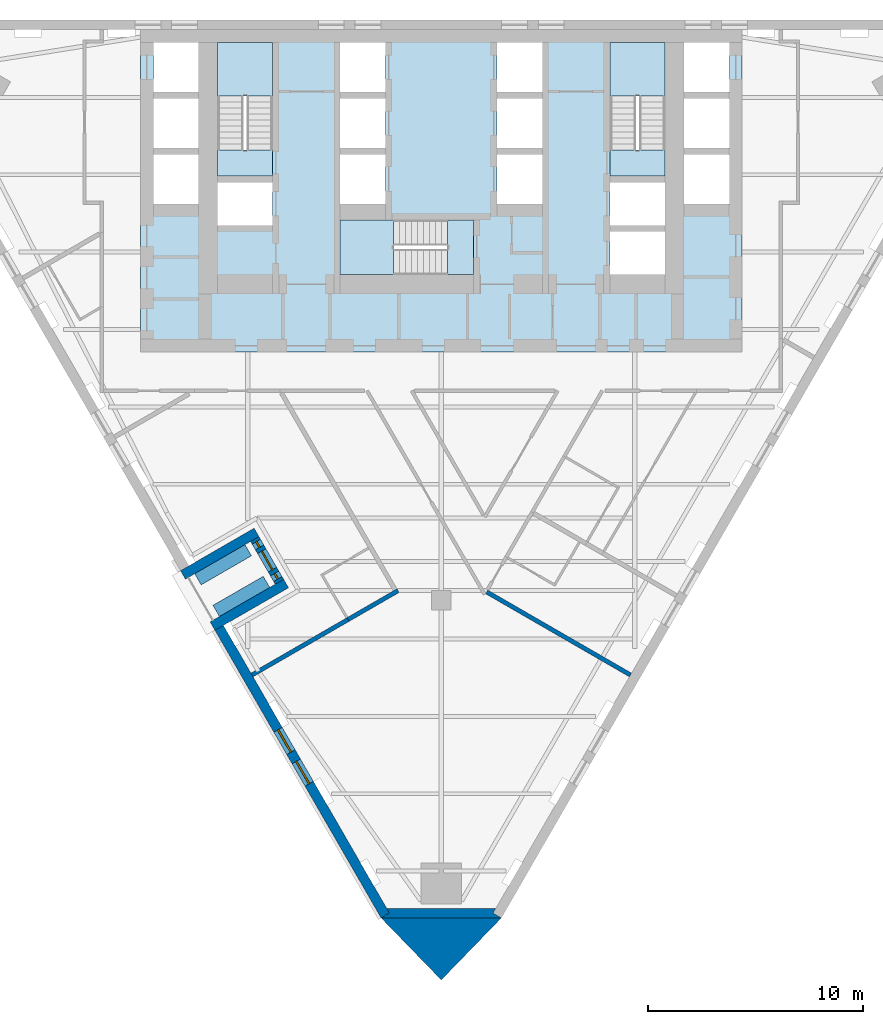
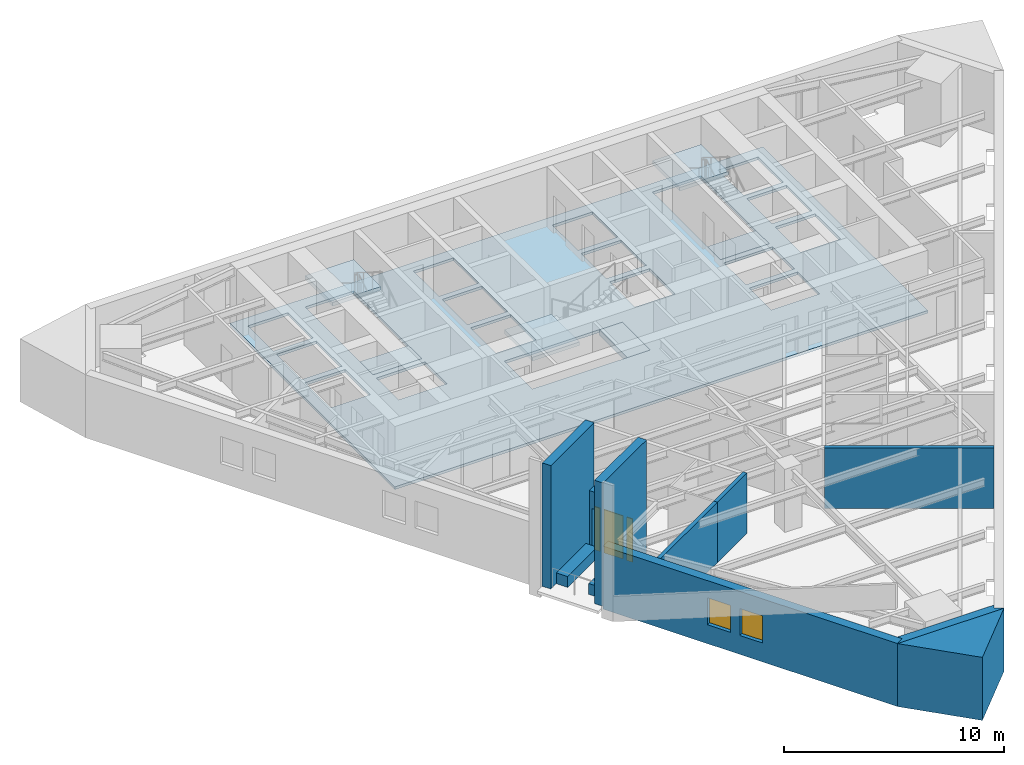
# One storey, part 2 of 9: 11 walls, 7 slabs, 4 windows, 1 door, 5 openings, 3 elements without a shape of their own.
"""IFC4 building model written with IfcOpenShell, lengths in metres."""

from ifc_helpers import new_model, si_unit, direction, frame, frame_2d, origin, place, context, subcontext, project, spatial, polyline, rectangle, outline, extrude, material, layer, layer_set, type_object, element, fill, aggregate, save


model = new_model("IFC4")

# Units and contexts
model_context = context("Model", 3, precision=1e-05, world=origin(), true_north=direction((0.0, 1.0)))
body_context = subcontext(model_context, "Body", "Model", "MODEL_VIEW")
ifc_project = project(units=[si_unit("LENGTHUNIT", "METRE"), si_unit("AREAUNIT", "SQUARE_METRE"), si_unit("VOLUMEUNIT", "CUBIC_METRE"), si_unit("PLANEANGLEUNIT", "RADIAN"), si_unit("MASSUNIT", "GRAM", prefix="KILO")], contexts=[model_context])

# Site, building, storey
site_placement = place(None, origin())
site = spatial("IfcSite", under=ifc_project, at=site_placement, CompositionType="ELEMENT")
building_placement = place(site_placement, origin())
building = spatial("IfcBuilding", under=site, at=building_placement, Name="Aloe Facet Convention Tower", CompositionType="ELEMENT")
storey_placement = place(building_placement, frame((0.0, 0.0, 99.300048828125)))
storey = spatial("IfcBuildingStorey", under=building, at=storey_placement, Name="L24", CompositionType="ELEMENT", Elevation=99.300048828125)

# Slabs
ifc_material_1 = material(Name="Concrete C70/85", Category="concrete")
ifc_layer_1 = layer(ifc_material_1, 0.14990234375)
ifc_layer_set_1 = layer_set([ifc_layer_1], Name="CR-S-FLOOR150-C7085")
slab_type_1 = type_object("IfcSlabType", Name="CR-S-FLOOR150-C7085", PredefinedType="FLOOR", material=ifc_layer_set_1)
slab_1_placement = place(storey_placement, frame((0.0, 0.0, -0.150146484375)))
element("IfcSlab", 1, at=slab_1_placement, inside=storey, type_object=slab_type_1, Name="Core floor L24", PredefinedType="FLOOR", context=body_context, shape_type="SweptSolid", body=[
    extrude(outline(polyline([(69.300048828125, 134.550048828125), (71.85009765625, 134.550048828125), (72.75, 134.550048828125), (74.699951171875, 134.550048828125), (75.60009765625, 134.550048828125), (77.10009765625, 134.550048828125), (78.0, 134.550048828125), (82.0, 134.550048828125), (82.89990234375, 134.550048828125), (84.39990234375, 134.550048828125), (85.300048828125, 134.550048828125), (87.25, 134.550048828125), (88.14990234375, 134.550048828125), (90.699951171875, 134.550048828125), (91.0, 134.550048828125), (94.0, 134.550048828125), (94.0, 131.949951171875), (94.0, 131.050048828125), (94.0, 129.35009765625), (94.0, 128.449951171875), (94.0, 126.449951171875), (94.0, 125.85009765625), (94.0, 123.57373046875), (94.0, 122.523681640625), (94.0, 119.550048828125), (91.300048828125, 119.550048828125), (90.699951171875, 119.550048828125), (89.60009765625, 119.550048828125), (88.550048828125, 119.550048828125), (87.89990234375, 119.550048828125), (86.85009765625, 119.550048828125), (85.699951171875, 119.550048828125), (84.64990234375, 119.550048828125), (83.699951171875, 119.550048828125), (82.64990234375, 119.550048828125), (81.75, 119.550048828125), (80.699951171875, 119.550048828125), (78.550048828125, 119.550048828125), (77.5, 119.550048828125), (75.35009765625, 119.550048828125), (74.300048828125, 119.550048828125), (73.14990234375, 119.550048828125), (72.10009765625, 119.550048828125), (69.300048828125, 119.550048828125), (66.0, 119.550048828125), (66.0, 121.5), (66.0, 122.550048828125), (66.0, 123.449951171875), (66.0, 124.5), (66.0, 125.85009765625), (66.0, 126.449951171875), (66.0, 128.449951171875), (66.0, 129.35009765625), (66.0, 131.050048828125), (66.0, 131.949951171875), (66.0, 134.550048828125), (69.0, 134.550048828125), (69.300048828125, 134.550048828125)]), holes=[polyline([(75.300048828125, 123.14990234375), (80.298828125, 123.14990234375), (81.5, 123.14990234375), (81.5, 125.699951171875), (80.298828125, 125.699951171875), (75.300048828125, 125.699951171875), (75.300048828125, 123.14990234375)]), polyline([(69.60009765625, 125.449951171875), (72.14990234375, 125.449951171875), (72.14990234375, 127.449951171875), (69.60009765625, 127.449951171875), (69.60009765625, 125.449951171875)]), polyline([(66.60009765625, 126.449951171875), (68.699951171875, 126.449951171875), (68.699951171875, 128.75), (66.60009765625, 128.75), (66.60009765625, 126.449951171875)]), polyline([(75.300048828125, 126.449951171875), (77.39990234375, 126.449951171875), (77.39990234375, 128.75), (75.300048828125, 128.75), (75.300048828125, 126.449951171875)]), polyline([(66.60009765625, 129.050048828125), (68.699951171875, 129.050048828125), (68.699951171875, 131.35009765625), (66.60009765625, 131.35009765625), (66.60009765625, 129.050048828125)]), polyline([(75.300048828125, 129.050048828125), (77.39990234375, 129.050048828125), (77.39990234375, 131.35009765625), (75.300048828125, 131.35009765625), (75.300048828125, 129.050048828125)]), polyline([(69.60009765625, 133.949951171875), (69.60009765625, 128.951171875), (69.60009765625, 127.75), (72.14990234375, 127.75), (72.14990234375, 128.951171875), (72.14990234375, 133.949951171875), (69.60009765625, 133.949951171875)]), polyline([(66.60009765625, 133.949951171875), (66.60009765625, 131.64990234375), (68.699951171875, 131.64990234375), (68.699951171875, 133.949951171875), (66.60009765625, 133.949951171875)]), polyline([(75.300048828125, 133.949951171875), (75.300048828125, 131.64990234375), (77.39990234375, 131.64990234375), (77.39990234375, 133.949951171875), (75.300048828125, 133.949951171875)]), polyline([(87.85009765625, 123.14990234375), (90.39990234375, 123.14990234375), (90.39990234375, 125.14990234375), (87.85009765625, 125.14990234375), (87.85009765625, 123.14990234375)]), polyline([(87.85009765625, 125.449951171875), (90.39990234375, 125.449951171875), (90.39990234375, 127.449951171875), (87.85009765625, 127.449951171875), (87.85009765625, 125.449951171875)]), polyline([(82.60009765625, 126.449951171875), (84.699951171875, 126.449951171875), (84.699951171875, 128.75), (82.60009765625, 128.75), (82.60009765625, 126.449951171875)]), polyline([(91.300048828125, 126.449951171875), (93.39990234375, 126.449951171875), (93.39990234375, 128.75), (91.300048828125, 128.75), (91.300048828125, 126.449951171875)]), polyline([(82.60009765625, 129.050048828125), (84.699951171875, 129.050048828125), (84.699951171875, 131.35009765625), (82.60009765625, 131.35009765625), (82.60009765625, 129.050048828125)]), polyline([(91.300048828125, 129.050048828125), (93.39990234375, 129.050048828125), (93.39990234375, 131.35009765625), (91.300048828125, 131.35009765625), (91.300048828125, 129.050048828125)]), polyline([(87.85009765625, 133.949951171875), (87.85009765625, 128.951171875), (87.85009765625, 127.75), (90.39990234375, 127.75), (90.39990234375, 128.951171875), (90.39990234375, 133.949951171875), (87.85009765625, 133.949951171875)]), polyline([(82.60009765625, 133.949951171875), (82.60009765625, 131.64990234375), (84.699951171875, 131.64990234375), (84.699951171875, 133.949951171875), (82.60009765625, 133.949951171875)]), polyline([(91.300048828125, 133.949951171875), (91.300048828125, 131.64990234375), (93.39990234375, 131.64990234375), (93.39990234375, 133.949951171875), (91.300048828125, 133.949951171875)])]), origin(), (0.0, 0.0, 1.0), 0.150146484375),
])
ifc_material_2 = material(Name="Concrete C70/85", Category="concrete")
ifc_layer_2 = layer(ifc_material_2, 0.300048828125)
ifc_layer_set_2 = layer_set([ifc_layer_2], Name="CR-S-FLOOR300-C7085")
slab_type_2 = type_object("IfcSlabType", Name="CR-S-FLOOR300-C7085", PredefinedType="FLOOR", material=ifc_layer_set_2)
slab_2_placement = place(storey_placement, frame((0.0, 0.0, -0.300048828125)))
element("IfcSlab", 2, at=slab_2_placement, inside=storey, type_object=slab_type_2, Name="Stair landing floor L24", PredefinedType="FLOOR", context=body_context, shape_type="SweptSolid", body=[
    extrude(outline(polyline([(72.14990234375, 127.75), (72.14990234375, 128.951171875), (69.60009765625, 128.951171875), (69.60009765625, 127.75), (72.14990234375, 127.75)])), origin(), (0.0, 0.0, 1.0), 0.300048828125),
])
slab_3_placement = place(storey_placement, frame((0.0, 0.0, -0.300048828125)))
element("IfcSlab", 3, at=slab_3_placement, inside=storey, type_object=slab_type_2, Name="Stair landing floor L24", PredefinedType="FLOOR", context=body_context, shape_type="SweptSolid", body=[
    extrude(outline(polyline([(90.39990234375, 127.75), (90.39990234375, 128.951171875), (87.85009765625, 128.951171875), (87.85009765625, 127.75), (90.39990234375, 127.75)])), origin(), (0.0, 0.0, 1.0), 0.300048828125),
])
slab_4_placement = place(storey_placement, frame((0.0, 0.0, -0.300048828125)))
element("IfcSlab", 4, at=slab_4_placement, inside=storey, type_object=slab_type_2, Name="Stair landing floor L24", PredefinedType="FLOOR", context=body_context, shape_type="SweptSolid", body=[
    extrude(outline(polyline([(81.5, 125.699951171875), (80.298828125, 125.699951171875), (80.298828125, 123.14990234375), (81.5, 123.14990234375), (81.5, 125.699951171875)])), origin(), (0.0, 0.0, 1.0), 0.300048828125),
])

# Stair, slab
ifc_material_3 = material(Name="Concrete C50/60", Category="concrete")
stair_type = type_object("IfcStairType", Name="CR-ST-20R", PredefinedType="HALF_TURN_STAIR", material=ifc_material_3)
stair_1_placement = place(storey_placement, origin())
stair_1 = element("IfcStair", 5, at=stair_1_placement, inside=storey, type_object=stair_type, Name="L24 Protected exit stair ST1", PredefinedType="HALF_TURN_STAIR")
ifc_material_4 = material(Name="Concrete C50/60", Category="concrete")
ifc_layer_3 = layer(ifc_material_4, 0.199951171875)
ifc_layer_set_3 = layer_set([ifc_layer_3], Name="CR-SL-LANDING")
slab_type_3 = type_object("IfcSlabType", Name="CR-SL-LANDING", PredefinedType="LANDING", material=ifc_layer_set_3)
slab_5_placement = place(storey_placement, frame((0.0, 0.0, 1.550048828125)))
slab_5 = element("IfcSlab", 6, at=slab_5_placement, type_object=slab_type_3, Name="ST1 landing 1", PredefinedType="LANDING", context=body_context, shape_type="SweptSolid", body=[
    extrude(outline(polyline([(72.14990234375, 131.469970703125), (72.14990234375, 133.949951171875), (69.60009765625, 133.949951171875), (69.60009765625, 131.469970703125), (72.14990234375, 131.469970703125)])), origin(), (0.0, 0.0, 1.0), 0.199951171875),
])
aggregate(stair_1, [slab_5])

stair_2_placement = place(storey_placement, origin())
stair_2 = element("IfcStair", 7, at=stair_2_placement, inside=storey, type_object=stair_type, Name="L24 Protected exit stair ST2", PredefinedType="HALF_TURN_STAIR")
slab_6_placement = place(storey_placement, frame((0.0, 0.0, 1.550048828125)))
slab_6 = element("IfcSlab", 8, at=slab_6_placement, type_object=slab_type_3, Name="ST2 landing 1", PredefinedType="LANDING", context=body_context, shape_type="SweptSolid", body=[
    extrude(outline(polyline([(90.39990234375, 131.469970703125), (90.39990234375, 133.949951171875), (87.85009765625, 133.949951171875), (87.85009765625, 131.469970703125), (90.39990234375, 131.469970703125)])), origin(), (0.0, 0.0, 1.0), 0.199951171875),
])
aggregate(stair_2, [slab_6])

stair_3_placement = place(storey_placement, origin())
stair_3 = element("IfcStair", 9, at=stair_3_placement, inside=storey, type_object=stair_type, Name="L24 Protected exit stair ST3", PredefinedType="HALF_TURN_STAIR")
slab_7_placement = place(storey_placement, frame((0.0, 0.0, 1.550048828125)))
slab_7 = element("IfcSlab", 10, at=slab_7_placement, type_object=slab_type_3, Name="ST3 landing 1", PredefinedType="LANDING", context=body_context, shape_type="SweptSolid", body=[
    extrude(outline(polyline([(77.780029296875, 125.699951171875), (75.300048828125, 125.699951171875), (75.300048828125, 123.14990234375), (77.780029296875, 123.14990234375), (77.780029296875, 125.699951171875)])), origin(), (0.0, 0.0, 1.0), 0.199951171875),
])
aggregate(stair_3, [slab_7])

# Walls
ifc_material_5 = material(Name="Precast concrete C40/50", Category="concrete")
ifc_layer_4 = layer(ifc_material_5, 0.60009765625)
ifc_layer_set_4 = layer_set([ifc_layer_4], Name="EV-PLANTER")
wall_type_1 = type_object("IfcWallType", Name="EV-PLANTER", PredefinedType="STANDARD", material=ifc_layer_set_4)
wall_1_placement = place(storey_placement, frame((68.679443359375, 108.978271484375, 0.0), z_axis=(0.0, 0.0, 1.0), x_axis=(0.86599734893, 0.500048589285, 0.0)))
element("IfcWall", 11, at=wall_1_placement, inside=storey, type_object=wall_type_1, Name="PLANTER T05-1", PredefinedType="STANDARD", context=body_context, shape_type="SweptSolid", body=[
    extrude(rectangle(XDim=2.699951171875, YDim=0.60009765625, at=frame_2d((1.35009765625, 0.0))), origin(), (0.0, 0.0, 1.0), 0.599853515625),
])
wall_2_placement = place(storey_placement, frame((69.529296875, 107.506103515625, 0.0), z_axis=(0.0, 0.0, 1.0), x_axis=(0.866019956843, 0.50000943426, 0.0)))
element("IfcWall", 12, at=wall_2_placement, inside=storey, type_object=wall_type_1, Name="PLANTER T05-2", PredefinedType="STANDARD", context=body_context, shape_type="SweptSolid", body=[
    extrude(rectangle(XDim=2.7001953125, YDim=0.60009765625, at=frame_2d((1.35009765625, 0.0))), origin(), (0.0, 0.0, 1.0), 0.599853515625),
])
ifc_material_6 = material(Name="Precast concrete C40/50", Category="concrete")
ifc_layer_5 = layer(ifc_material_6, 0.449951171875)
ifc_layer_set_5 = layer_set([ifc_layer_5], Name="EV-WALL-PIER")
wall_type_2 = type_object("IfcWallType", Name="EV-WALL-PIER", PredefinedType="SOLIDWALL", material=ifc_layer_set_5)
wall_3_placement = place(storey_placement, frame((0.0, 0.0, -0.150146484375)))
element("IfcWall", 13, at=wall_3_placement, inside=storey, type_object=wall_type_2, Name="EP-L24-B", PredefinedType="SOLIDWALL", context=body_context, shape_type="SweptSolid", body=[
    extrude(outline(polyline([(77.199951171875, 93.22021484375), (77.589599609375, 93.4453125), (77.459716796875, 93.670166015625), (82.540283203125, 93.670166015625), (82.410400390625, 93.4453125), (82.800048828125, 93.22021484375), (77.199951171875, 93.22021484375)])), origin(), (0.0, 0.0, 1.0), 3.5),
])
ifc_material_7 = material(Name="Precast concrete C40/50", Category="concrete")
ifc_layer_6 = layer(ifc_material_7, 3.947998046875)
ifc_layer_set_6 = layer_set([ifc_layer_6], Name="EV-WALL-SPINE")
wall_type_3 = type_object("IfcWallType", Name="EV-WALL-SPINE", PredefinedType="SOLIDWALL", material=ifc_layer_set_6)
wall_4_placement = place(storey_placement, frame((0.0, 0.0, -0.150146484375)))
element("IfcWall", 14, at=wall_4_placement, inside=storey, type_object=wall_type_3, Name="SP-S-L24", PredefinedType="SOLIDWALL", context=body_context, shape_type="SweptSolid", body=[
    extrude(outline(polyline([(77.199951171875, 93.22021484375), (80.0, 90.333251953125), (82.800048828125, 93.22021484375), (77.199951171875, 93.22021484375)])), origin(), (0.0, 0.0, 1.0), 3.5),
])

# Wall, openings, windows
ifc_material_8 = material(Name="Precast concrete C40/50", Category="concrete")
ifc_layer_7 = layer(ifc_material_8, 0.449951171875)
ifc_layer_set_7 = layer_set([ifc_layer_7], Name="EV-WALL-STONE")
wall_type_4 = type_object("IfcWallType", Name="EV-WALL-STONE", PredefinedType="SOLIDWALL", material=ifc_layer_set_7)
wall_5_placement = place(storey_placement, frame((69.666259765625, 106.71923828125, -0.150146484375), z_axis=(0.0, 0.0, 1.0), x_axis=(0.499991795389, -0.866030140667, 0.0)))
wall_5 = element("IfcWall", 15, at=wall_5_placement, inside=storey, type_object=wall_type_4, Name="EW-L24-W02", PredefinedType="SOLIDWALL", context=body_context, shape_type="SweptSolid", body=[
    extrude(outline(polyline([(15.457275390625, 3.5), (15.457275390625, 0.0), (0.0, 0.0), (0.0, 3.5), (15.457275390625, 3.5)])), frame((0.0, 0.22509765625, 0.0), z_axis=(0.0, -1.0, 0.0), x_axis=(1.0, 0.0, 0.0)), (0.0, 0.0, 1.0), 0.449951171875),
])
opening_1_placement = place(wall_5_placement, frame((5.478515625, 0.0, 1.050048828125)))
opening_1 = element("IfcOpeningElement", 16, at=opening_1_placement, cuts=wall_5, Name="Opening W-L24-W05", PredefinedType="OPENING", context=body_context, shape_type="SweptSolid", body=[
    extrude(rectangle(XDim=1.199951171875, YDim=1.5, at=frame_2d((0.60009765625, 0.75))), frame((0.0, 0.23486328125, 0.0), z_axis=(0.0, -1.0, 0.0), x_axis=(1.0, 0.0, 0.0)), (0.0, 0.0, 1.0), 0.469970703125),
])
opening_2_placement = place(wall_5_placement, frame((7.1787109375, 0.0, 1.050048828125)))
opening_2 = element("IfcOpeningElement", 17, at=opening_2_placement, cuts=wall_5, Name="Opening W-L24-W06", PredefinedType="OPENING", context=body_context, shape_type="SweptSolid", body=[
    extrude(rectangle(XDim=1.199951171875, YDim=1.5, at=frame_2d((0.60009765625, 0.75))), frame((0.0, 0.23486328125, 0.0), z_axis=(0.0, -1.0, 0.0), x_axis=(1.0, 0.0, 0.0)), (0.0, 0.0, 1.0), 0.469970703125),
])
ifc_material_9 = material(Name="Aluminium frame, clear double glazing", Category="aluminium")
window_type_1 = type_object("IfcWindowType", Name="EV-WIN-H12", PartitioningType="SINGLE_PANEL", PredefinedType="WINDOW", material=ifc_material_9)
window_1_placement = place(opening_1_placement, origin())
window_1 = element("IfcWindow", 18, at=window_1_placement, inside=storey, type_object=window_type_1, Name="W-L24-W05", OverallHeight=1.5, OverallWidth=1.199951171875, PartitioningType="SINGLE_PANEL", PredefinedType="WINDOW", context=body_context, shape_type="SweptSolid", body=[
    extrude(rectangle(XDim=1.199951171875, YDim=1.5, at=frame_2d((0.60009765625, 0.75))), frame((0.0, 0.030029296875, 0.0), z_axis=(0.0, -1.0, 0.0), x_axis=(1.0, 0.0, 0.0)), (0.0, 0.0, 1.0), 0.06005859375),
])
fill(opening_1, window_1)
window_2_placement = place(opening_2_placement, origin())
window_2 = element("IfcWindow", 19, at=window_2_placement, inside=storey, type_object=window_type_1, Name="W-L24-W06", OverallHeight=1.5, OverallWidth=1.199951171875, PartitioningType="SINGLE_PANEL", PredefinedType="WINDOW", context=body_context, shape_type="SweptSolid", body=[
    extrude(rectangle(XDim=1.199951171875, YDim=1.5, at=frame_2d((0.60009765625, 0.75))), frame((0.0, 0.030029296875, 0.0), z_axis=(0.0, -1.0, 0.0), x_axis=(1.0, 0.0, 0.0)), (0.0, 0.0, 1.0), 0.06005859375),
])
fill(opening_2, window_2)

# Walls
for number, where, z_axis, x_axis, name in (
    (20, (67.98388671875, 109.18310546875, 0.0), (0.0, 0.0, 1.0), (0.866047669374, 0.499961432884, 0.0), "TW-T05-1"),
    (21, (69.35888671875, 106.801513671875, 0.0), (0.0, 0.0, 1.0), (0.866047669374, 0.499961432884, 0.0), "TW-T05-2"),
):
    element("IfcWall", number, at=place(storey_placement, frame(where, z_axis=z_axis, x_axis=x_axis)), inside=storey, type_object=wall_type_4, Name=name, PredefinedType="SOLIDWALL", context=body_context, shape_type="SweptSolid", body=[
        extrude(rectangle(XDim=3.949951171875, YDim=0.449951171875, at=frame_2d((1.97509765625, 0.0))), origin(), (0.0, 0.0, 1.0), 6.849853515625),
    ])

# Wall, openings, door, windows
wall_6_placement = place(storey_placement, frame((71.322265625, 110.8505859375, -0.150146484375), z_axis=(0.0, 0.0, 1.0), x_axis=(0.500077740698, -0.865980515519, 0.0)))
wall_6 = element("IfcWall", 22, at=wall_6_placement, inside=storey, type_object=wall_type_4, Name="TB-T05-L24", PredefinedType="SOLIDWALL", context=body_context, shape_type="SweptSolid", body=[
    extrude(rectangle(XDim=2.300048828125, YDim=0.449951171875, at=frame_2d((1.14990234375, 0.0))), origin(), (0.0, 0.0, 1.0), 3.5),
])
opening_3_placement = place(wall_6_placement, frame((0.64990234375, 0.0, 0.14990234375)))
opening_3 = element("IfcOpeningElement", 23, at=opening_3_placement, cuts=wall_6, Name="Opening D-T05", PredefinedType="OPENING", context=body_context, shape_type="SweptSolid", body=[
    extrude(rectangle(XDim=1.0, YDim=2.39990234375, at=frame_2d((0.5, 1.199951171875))), frame((0.0, 0.23486328125, 0.0), z_axis=(0.0, -1.0, 0.0), x_axis=(1.0, 0.0, 0.0)), (0.0, 0.0, 1.0), 0.469970703125),
])
opening_4_placement = place(wall_6_placement, frame((0.14990234375, 0.0, 0.14990234375)))
opening_4 = element("IfcOpeningElement", 24, at=opening_4_placement, cuts=wall_6, Name="Opening G-T05-1", PredefinedType="OPENING", context=body_context, shape_type="SweptSolid", body=[
    extrude(rectangle(XDim=0.300048828125, YDim=2.39990234375, at=frame_2d((0.14990234375, 1.199951171875))), frame((0.0, 0.23486328125, 0.0), z_axis=(0.0, -1.0, 0.0), x_axis=(1.0, 0.0, 0.0)), (0.0, 0.0, 1.0), 0.469970703125),
])
opening_5_placement = place(wall_6_placement, frame((1.85009765625, 0.0, 0.14990234375)))
opening_5 = element("IfcOpeningElement", 25, at=opening_5_placement, cuts=wall_6, Name="Opening G-T05-2", PredefinedType="OPENING", context=body_context, shape_type="SweptSolid", body=[
    extrude(rectangle(XDim=0.300048828125, YDim=2.39990234375, at=frame_2d((0.14990234375, 1.199951171875))), frame((0.0, 0.23486328125, 0.0), z_axis=(0.0, -1.0, 0.0), x_axis=(1.0, 0.0, 0.0)), (0.0, 0.0, 1.0), 0.469970703125),
])
ifc_material_10 = material(Name="Aluminium frame, clear double glazing", Category="aluminium")
door_type = type_object("IfcDoorType", Name="EV-DOOR-TERR", OperationType="SINGLE_SWING_LEFT", PredefinedType="DOOR", material=ifc_material_10)
door_placement = place(opening_3_placement, origin())
door = element("IfcDoor", 26, at=door_placement, inside=storey, type_object=door_type, Name="D-T05", OperationType="SINGLE_SWING_LEFT", OverallHeight=2.39990234375, OverallWidth=1.0, PredefinedType="DOOR", context=body_context, shape_type="SweptSolid", body=[
    extrude(rectangle(XDim=1.0, YDim=2.39990234375, at=frame_2d((0.5, 1.199951171875))), frame((0.0, 0.02490234375, 0.0), z_axis=(0.0, -1.0, 0.0), x_axis=(1.0, 0.0, 0.0)), (0.0, 0.0, 1.0), 0.050048828125),
])
fill(opening_3, door)
ifc_material_11 = material(Name="Aluminium frame, clear double glazing", Category="aluminium")
window_type_2 = type_object("IfcWindowType", Name="EV-WIN-SL30", PartitioningType="SINGLE_PANEL", PredefinedType="WINDOW", material=ifc_material_11)
window_3_placement = place(opening_4_placement, origin())
window_3 = element("IfcWindow", 27, at=window_3_placement, inside=storey, type_object=window_type_2, Name="G-T05-1", OverallHeight=2.39990234375, OverallWidth=0.300048828125, PartitioningType="SINGLE_PANEL", PredefinedType="WINDOW", context=body_context, shape_type="SweptSolid", body=[
    extrude(rectangle(XDim=0.300048828125, YDim=2.39990234375, at=frame_2d((0.14990234375, 1.199951171875))), frame((0.0, 0.030029296875, 0.0), z_axis=(0.0, -1.0, 0.0), x_axis=(1.0, 0.0, 0.0)), (0.0, 0.0, 1.0), 0.06005859375),
])
fill(opening_4, window_3)
window_4_placement = place(opening_5_placement, origin())
window_4 = element("IfcWindow", 28, at=window_4_placement, inside=storey, type_object=window_type_2, Name="G-T05-2", OverallHeight=2.39990234375, OverallWidth=0.300048828125, PartitioningType="SINGLE_PANEL", PredefinedType="WINDOW", context=body_context, shape_type="SweptSolid", body=[
    extrude(rectangle(XDim=0.300048828125, YDim=2.39990234375, at=frame_2d((0.14990234375, 1.199951171875))), frame((0.0, 0.030029296875, 0.0), z_axis=(0.0, -1.0, 0.0), x_axis=(1.0, 0.0, 0.0)), (0.0, 0.0, 1.0), 0.06005859375),
])
fill(opening_5, window_4)

# Walls
ifc_material_12 = material(Name="Gypsum board partition on steel studs", Category="steel")
ifc_layer_8 = layer(ifc_material_12, 0.199951171875)
ifc_layer_set_8 = layer_set([ifc_layer_8], Name="IN-W-PARTY")
wall_type_5 = type_object("IfcWallType", Name="IN-W-PARTY", PredefinedType="PARTITIONING", material=ifc_layer_set_8)
wall_7_placement = place(storey_placement, frame((71.193359375, 104.524169921875, 0.0), z_axis=(0.0, 0.0, 1.0), x_axis=(0.866009872933, 0.50002689926, 0.0)))
element("IfcWall", 29, at=wall_7_placement, inside=storey, type_object=wall_type_5, Name="Partition L24-W001", PredefinedType="PARTITIONING", context=body_context, shape_type="SweptSolid", body=[
    extrude(rectangle(XDim=5.159912109375, YDim=0.199951171875, at=frame_2d((2.580078125, 0.0))), origin(), (0.0, 0.0, 1.0), 3.349853515625),
])
wall_8_placement = place(storey_placement, frame((75.661865234375, 107.104248046875, 0.0), z_axis=(0.0, 0.0, 1.0), x_axis=(0.866028401131, 0.499994808408, 0.0)))
element("IfcWall", 30, at=wall_8_placement, inside=storey, type_object=wall_type_5, Name="Partition L24-W005", PredefinedType="PARTITIONING", context=body_context, shape_type="SweptSolid", body=[
    extrude(rectangle(XDim=2.68994140625, YDim=0.199951171875, at=frame_2d((1.344970703125, 0.0))), origin(), (0.0, 0.0, 1.0), 3.349853515625),
])
wall_9_placement = place(storey_placement, frame((82.11669921875, 108.38671875, 0.0), z_axis=(0.0, 0.0, 1.0), x_axis=(0.866019273868, -0.500010617176, 0.0)))
element("IfcWall", 31, at=wall_9_placement, inside=storey, type_object=wall_type_5, Name="Partition L24-W006", PredefinedType="PARTITIONING", context=body_context, shape_type="SweptSolid", body=[
    extrude(rectangle(XDim=7.724853515625, YDim=0.199951171875, at=frame_2d((3.8623046875, 0.0))), origin(), (0.0, 0.0, 1.0), 3.349853515625),
])

save(model, "model.ifc")
